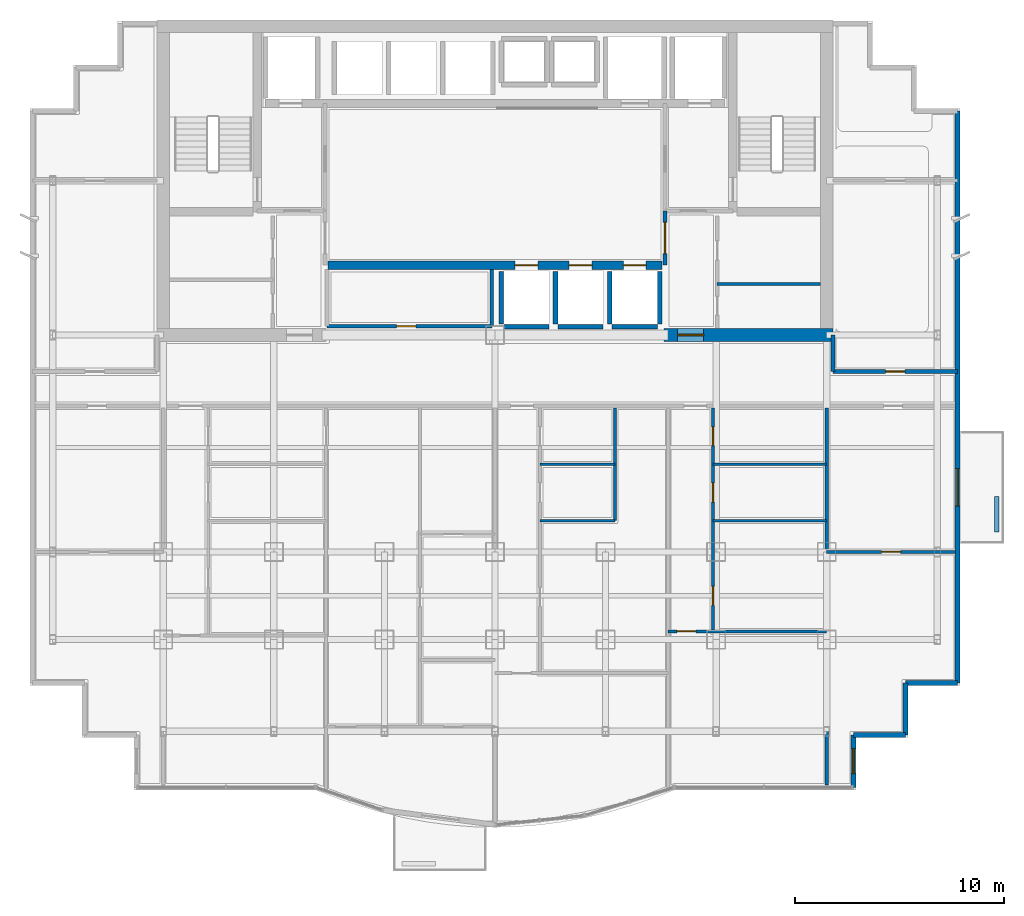
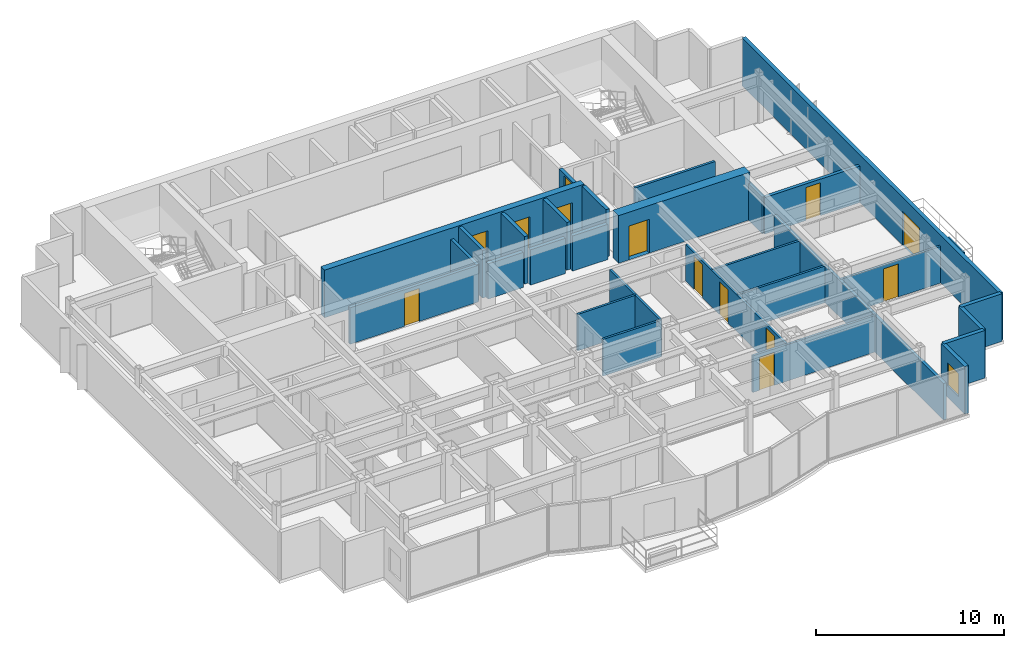
# One storey, part 7 of 11: 30 walls, 13 doors, 1 window, 14 openings.
"""IFC4 building model written with IfcOpenShell, lengths in metres."""

from ifc_helpers import new_model, si_unit, direction, frame, frame_2d, origin, place, context, subcontext, project, spatial, rectangle, extrude, material, layer, layer_set, type_object, element, fill, save


model = new_model("IFC4")

# Units and contexts
model_context = context("Model", 3, precision=1e-05, world=origin(), true_north=direction((0.0, 1.0)))
body_context = subcontext(model_context, "Body", "Model", "MODEL_VIEW")
ifc_project = project(units=[si_unit("LENGTHUNIT", "METRE"), si_unit("AREAUNIT", "SQUARE_METRE"), si_unit("VOLUMEUNIT", "CUBIC_METRE"), si_unit("PLANEANGLEUNIT", "RADIAN"), si_unit("MASSUNIT", "GRAM", prefix="KILO")], contexts=[model_context])

# Site, building, storey
site_placement = place(None, origin())
site = spatial("IfcSite", under=ifc_project, at=site_placement, CompositionType="ELEMENT")
building_placement = place(site_placement, origin())
building = spatial("IfcBuilding", under=site, at=building_placement, Name="Qianlan Lanfeng Residences", CompositionType="ELEMENT")
storey_placement = place(building_placement, frame((0.0, 0.0, 149.10009765625)))
storey = spatial("IfcBuildingStorey", under=building, at=storey_placement, Name="L40", CompositionType="ELEMENT", Elevation=149.10009765625)

# Wall, openings, doors
ifc_material_1 = material(Name="Concrete C56", Category="concrete")
ifc_layer_1 = layer(ifc_material_1, 0.39990234375)
ifc_layer_set_1 = layer_set([ifc_layer_1], Name="Concrete C56")
wall_type_1 = type_object("IfcWallType", Name="CW-RC-400", PredefinedType="SHEAR", material=ifc_layer_set_1)
wall_1_placement = place(storey_placement, frame((18.5, 28.550048828125, 0.0), z_axis=(0.0, 0.0, 1.0), x_axis=(1.0, 0.0, 0.0)))
wall_1 = element("IfcWall", 1, at=wall_1_placement, inside=storey, type_object=wall_type_1, Name="L40 Core Shear Wall LBS", PredefinedType="SHEAR", context=body_context, shape_type="SweptSolid", body=[
    extrude(rectangle(XDim=16.0, YDim=0.39990234375, at=frame_2d((8.0, 0.0))), origin(), (0.0, 0.0, 1.0), 3.099853515625),
])
opening_1_placement = place(wall_1_placement, frame((8.949951171875, 0.0, 0.0)))
opening_1 = element("IfcOpeningElement", 2, at=opening_1_placement, cuts=wall_1, Name="Opening L40-LD-PL-M1", PredefinedType="OPENING", context=body_context, shape_type="SweptSolid", body=[
    extrude(rectangle(XDim=1.10009765625, YDim=2.14990234375, at=frame_2d((0.550048828125, 1.074951171875))), frame((0.0, 0.2099609375, 0.0), z_axis=(0.0, -1.0, 0.0), x_axis=(1.0, 0.0, 0.0)), (0.0, 0.0, 1.0), 0.419921875),
])
opening_2_placement = place(wall_1_placement, frame((11.550048828125, 0.0, 0.0)))
opening_2 = element("IfcOpeningElement", 3, at=opening_2_placement, cuts=wall_1, Name="Opening L40-LD-PL-M2", PredefinedType="OPENING", context=body_context, shape_type="SweptSolid", body=[
    extrude(rectangle(XDim=1.10009765625, YDim=2.14990234375, at=frame_2d((0.550048828125, 1.074951171875))), frame((0.0, 0.2099609375, 0.0), z_axis=(0.0, -1.0, 0.0), x_axis=(1.0, 0.0, 0.0)), (0.0, 0.0, 1.0), 0.419921875),
])
opening_3_placement = place(wall_1_placement, frame((14.14990234375, 0.0, 0.0)))
opening_3 = element("IfcOpeningElement", 4, at=opening_3_placement, cuts=wall_1, Name="Opening L40-LD-PL-M3", PredefinedType="OPENING", context=body_context, shape_type="SweptSolid", body=[
    extrude(rectangle(XDim=1.10009765625, YDim=2.14990234375, at=frame_2d((0.550048828125, 1.074951171875))), frame((0.0, 0.2099609375, 0.0), z_axis=(0.0, -1.0, 0.0), x_axis=(1.0, 0.0, 0.0)), (0.0, 0.0, 1.0), 0.419921875),
])
ifc_material_2 = material(Name="Brushed Stainless Steel Sliding Lift Door", Category="steel")
door_type_1 = type_object("IfcDoorType", Name="LD-01", OperationType="NOTDEFINED", PredefinedType="DOOR", material=ifc_material_2)
door_1_placement = place(opening_1_placement, origin())
door_1 = element("IfcDoor", 5, at=door_1_placement, inside=storey, type_object=door_type_1, Name="L40 Elevator PL-M1 Sliding Landing Door", OperationType="DOUBLE_DOOR_SLIDING", OverallHeight=2.14990234375, OverallWidth=1.10009765625, PredefinedType="DOOR", context=body_context, shape_type="SweptSolid", body=[
    extrude(rectangle(XDim=1.10009765625, YDim=2.14990234375, at=frame_2d((0.550048828125, 1.074951171875))), frame((0.0, 0.02490234375, 0.0), z_axis=(0.0, -1.0, 0.0), x_axis=(1.0, 0.0, 0.0)), (0.0, 0.0, 1.0), 0.050048828125),
])
fill(opening_1, door_1)
door_2_placement = place(opening_2_placement, origin())
door_2 = element("IfcDoor", 6, at=door_2_placement, inside=storey, type_object=door_type_1, Name="L40 Elevator PL-M2 Sliding Landing Door", OperationType="DOUBLE_DOOR_SLIDING", OverallHeight=2.14990234375, OverallWidth=1.10009765625, PredefinedType="DOOR", context=body_context, shape_type="SweptSolid", body=[
    extrude(rectangle(XDim=1.10009765625, YDim=2.14990234375, at=frame_2d((0.550048828125, 1.074951171875))), frame((0.0, 0.02490234375, 0.0), z_axis=(0.0, -1.0, 0.0), x_axis=(1.0, 0.0, 0.0)), (0.0, 0.0, 1.0), 0.050048828125),
])
fill(opening_2, door_2)
door_3_placement = place(opening_3_placement, origin())
door_3 = element("IfcDoor", 7, at=door_3_placement, inside=storey, type_object=door_type_1, Name="L40 Elevator PL-M3 Sliding Landing Door", OperationType="DOUBLE_DOOR_SLIDING", OverallHeight=2.14990234375, OverallWidth=1.10009765625, PredefinedType="DOOR", context=body_context, shape_type="SweptSolid", body=[
    extrude(rectangle(XDim=1.10009765625, YDim=2.14990234375, at=frame_2d((0.550048828125, 1.074951171875))), frame((0.0, 0.02490234375, 0.0), z_axis=(0.0, -1.0, 0.0), x_axis=(1.0, 0.0, 0.0)), (0.0, 0.0, 1.0), 0.050048828125),
])
fill(opening_3, door_3)

# Wall, opening, door
ifc_layer_2 = layer(ifc_material_1, 0.60009765625)
ifc_layer_set_2 = layer_set([ifc_layer_2], Name="Concrete C56")
wall_type_2 = type_object("IfcWallType", Name="CW-RC-600", PredefinedType="SHEAR", material=ifc_layer_set_2)
wall_2_placement = place(storey_placement, frame((34.60009765625, 25.199951171875, 0.0), z_axis=(0.0, 0.0, 1.0), x_axis=(1.0, 0.0, 0.0)))
wall_2 = element("IfcWall", 8, at=wall_2_placement, inside=storey, type_object=wall_type_2, Name="L40 Core Shear Wall SE", PredefinedType="SHEAR", context=body_context, shape_type="SweptSolid", body=[
    extrude(rectangle(XDim=8.099853515625, YDim=0.60009765625, at=frame_2d((4.0498046875, 0.0))), origin(), (0.0, 0.0, 1.0), 3.099853515625),
])
opening_4_placement = place(wall_2_placement, frame((0.64990234375, 0.0, 0.0)))
opening_4 = element("IfcOpeningElement", 9, at=opening_4_placement, cuts=wall_2, Name="Opening L40-D02", PredefinedType="OPENING", context=body_context, shape_type="SweptSolid", body=[
    extrude(rectangle(XDim=1.25, YDim=2.199951171875, at=frame_2d((0.625, 1.10009765625))), frame((0.0, 0.31005859375, 0.0), z_axis=(0.0, -1.0, 0.0), x_axis=(1.0, 0.0, 0.0)), (0.0, 0.0, 1.0), 0.6201171875),
])
ifc_material_3 = material(Name="Painted Galvanised Steel Fire Door", Category="steel")
door_type_2 = type_object("IfcDoorType", Name="DT-FFL", OperationType="NOTDEFINED", PredefinedType="DOOR", material=ifc_material_3)
door_4_placement = place(opening_4_placement, frame((1.25, 0.0, 0.0), z_axis=(0.0, 0.0, 1.0), x_axis=(-1.0, 0.0, 0.0)))
door_4 = element("IfcDoor", 10, at=door_4_placement, inside=storey, type_object=door_type_2, Name="L40 East Core Lobby Smoke Door L40-D02 (DT-FFL)", OperationType="SINGLE_SWING_LEFT", OverallHeight=2.199951171875, OverallWidth=1.25, PredefinedType="DOOR", context=body_context, shape_type="SweptSolid", body=[
    extrude(rectangle(XDim=1.25, YDim=2.199951171875, at=frame_2d((0.625, 1.10009765625))), frame((0.0, 0.02490234375, 0.0), z_axis=(0.0, -1.0, 0.0), x_axis=(1.0, 0.0, 0.0)), (0.0, 0.0, 1.0), 0.050048828125),
])
fill(opening_4, door_4)

# Wall, opening, window
ifc_material_4 = material(Name="Concrete C42", Category="concrete")
ifc_layer_3 = layer(ifc_material_4, 0.239990234375)
ifc_layer_set_3 = layer_set([ifc_layer_3], Name="Concrete C42")
wall_type_3 = type_object("IfcWallType", Name="EW-240", PredefinedType="SOLIDWALL", material=ifc_layer_set_3)
wall_3_placement = place(storey_placement, frame((43.679931640625, 3.52001953125, 0.0), z_axis=(0.0, 0.0, 1.0), x_axis=(0.0, 1.0, 0.0)))
wall_3 = element("IfcWall", 11, at=wall_3_placement, inside=storey, type_object=wall_type_3, Name="L40 Exterior Facade Spandrel Wall 6", PredefinedType="SOLIDWALL", context=body_context, shape_type="SweptSolid", body=[
    extrude(rectangle(XDim=2.5, YDim=0.239990234375, at=frame_2d((1.25, 0.0))), origin(), (0.0, 0.0, 1.0), 3.099853515625),
])
opening_5_placement = place(wall_3_placement, frame((0.64990234375, 0.0, 0.75)))
opening_5 = element("IfcOpeningElement", 12, at=opening_5_placement, cuts=wall_3, Name="Opening W-03", PredefinedType="OPENING", context=body_context, shape_type="SweptSolid", body=[
    extrude(rectangle(XDim=1.199951171875, YDim=1.5, at=frame_2d((0.60009765625, 0.75))), frame((0.0, 0.1298828125, 0.0), z_axis=(0.0, -1.0, 0.0), x_axis=(1.0, 0.0, 0.0)), (0.0, 0.0, 1.0), 0.260009765625),
])
ifc_material_5 = material(Name="Anodised Bronze Aluminium Framed Double Glazing", Category="aluminium")
window_type = type_object("IfcWindowType", Name="W-03", PartitioningType="SINGLE_PANEL", PredefinedType="WINDOW", material=ifc_material_5)
window_placement = place(opening_5_placement, origin())
window = element("IfcWindow", 13, at=window_placement, inside=storey, type_object=window_type, Name="L40 Facade Punched Window W-03", OverallHeight=1.5, OverallWidth=1.199951171875, PartitioningType="SINGLE_PANEL", PredefinedType="WINDOW", context=body_context, shape_type="SweptSolid", body=[
    extrude(rectangle(XDim=1.199951171875, YDim=1.5, at=frame_2d((0.60009765625, 0.75))), frame((0.0, 0.030029296875, 0.0), z_axis=(0.0, -1.0, 0.0), x_axis=(1.0, 0.0, 0.0)), (0.0, 0.0, 1.0), 0.06005859375),
])
fill(opening_5, window)

# Walls
for number, where, z_axis, x_axis, name in (
    (14, (43.679931640625, 6.02001953125, 0.0), (0.0, 0.0, 1.0), (1.0, 0.0, 0.0), "L40 Exterior Facade Spandrel Wall 7"),
    (15, (46.179931640625, 6.02001953125, 0.0), (0.0, 0.0, 1.0), (0.0, 1.0, 0.0), "L40 Exterior Facade Spandrel Wall 8"),
    (16, (46.179931640625, 8.52001953125, 0.0), (0.0, 0.0, 1.0), (1.0, 0.0, 0.0), "L40 Exterior Facade Spandrel Wall 9"),
):
    element("IfcWall", number, at=place(storey_placement, frame(where, z_axis=z_axis, x_axis=x_axis)), inside=storey, type_object=wall_type_3, Name=name, PredefinedType="SOLIDWALL", context=body_context, shape_type="SweptSolid", body=[
        extrude(rectangle(XDim=2.5, YDim=0.239990234375, at=frame_2d((1.25, 0.0))), origin(), (0.0, 0.0, 1.0), 3.099853515625),
    ])

# Wall, opening, door
wall_4_placement = place(storey_placement, frame((48.679931640625, 8.52001953125, 0.0), z_axis=(0.0, 0.0, 1.0), x_axis=(0.0, 1.0, 0.0)))
wall_4 = element("IfcWall", 17, at=wall_4_placement, inside=storey, type_object=wall_type_3, Name="L40 Terrace/Balcony Access Exterior Wall 10", PredefinedType="SOLIDWALL", context=body_context, shape_type="SweptSolid", body=[
    extrude(rectangle(XDim=27.409912109375, YDim=0.239990234375, at=frame_2d((13.705078125, 0.0))), origin(), (0.0, 0.0, 1.0), 3.099853515625),
])
opening_6_placement = place(wall_4_placement, frame((8.47998046875, 0.0, 0.0)))
opening_6 = element("IfcOpeningElement", 18, at=opening_6_placement, cuts=wall_4, Name="Opening L40-D-EB-S", PredefinedType="OPENING", context=body_context, shape_type="SweptSolid", body=[
    extrude(rectangle(XDim=1.800048828125, YDim=2.199951171875, at=frame_2d((0.89990234375, 1.10009765625))), frame((0.0, 0.1298828125, 0.0), z_axis=(0.0, -1.0, 0.0), x_axis=(1.0, 0.0, 0.0)), (0.0, 0.0, 1.0), 0.260009765625),
])
ifc_material_6 = material(Name="Anodised Bronze Aluminium Framed Glass", Category="aluminium")
door_type_3 = type_object("IfcDoorType", Name="DT-BAL1", OperationType="NOTDEFINED", PredefinedType="DOOR", material=ifc_material_6)
door_5_placement = place(opening_6_placement, frame((1.800048828125, 0.0, 0.0), z_axis=(0.0, 0.0, 1.0), x_axis=(-1.0, 0.0, 0.0)))
door_5 = element("IfcDoor", 19, at=door_5_placement, inside=storey, type_object=door_type_3, Name="L40 Exterior Access Door EB-S", OperationType="DOUBLE_DOOR_SLIDING", OverallHeight=2.199951171875, OverallWidth=1.800048828125, PredefinedType="DOOR", context=body_context, shape_type="SweptSolid", body=[
    extrude(rectangle(XDim=1.800048828125, YDim=2.199951171875, at=frame_2d((0.89990234375, 1.10009765625))), frame((0.0, 0.02490234375, 0.0), z_axis=(0.0, -1.0, 0.0), x_axis=(1.0, 0.0, 0.0)), (0.0, 0.0, 1.0), 0.050048828125),
])
fill(opening_6, door_5)

# Walls
ifc_layer_4 = layer(ifc_material_4, 0.199951171875)
ifc_layer_set_4 = layer_set([ifc_layer_4], Name="Concrete C42")
wall_type_4 = type_object("IfcWallType", Name="PL-TREE-200", PredefinedType="PARAPET", material=ifc_layer_set_4)
wall_5_placement = place(storey_placement, frame((50.550048828125, 15.75, 0.0), z_axis=(0.0, 0.0, 1.0), x_axis=(0.0, 1.0, 0.0)))
element("IfcWall", 20, at=wall_5_placement, inside=storey, type_object=wall_type_4, Name="L40 East Tree Planter Curb EB-S", PredefinedType="PARAPET", context=body_context, shape_type="SweptSolid", body=[
    extrude(rectangle(XDim=1.699951171875, YDim=0.199951171875, at=frame_2d((0.85009765625, 0.0))), origin(), (0.0, 0.0, 1.0), 0.64990234375),
])
ifc_material_7 = material(Name="Moisture-Resistant Gypsum Partition 135 mm")
ifc_layer_5 = layer(ifc_material_7, 0.135009765625)
ifc_layer_set_5 = layer_set([ifc_layer_5], Name="Moisture-Resistant Gypsum Partition 135 mm")
wall_type_5 = type_object("IfcWallType", Name="PW-135", PredefinedType="PARTITIONING", material=ifc_layer_set_5)
wall_6_placement = place(storey_placement, frame((28.64990234375, 16.300048828125, 0.0), z_axis=(0.0, 0.0, 1.0), x_axis=(1.0, 0.0, 0.0)))
element("IfcWall", 21, at=wall_6_placement, inside=storey, type_object=wall_type_5, Name="L40 U02 Kitchen South Wall", PredefinedType="PARTITIONING", context=body_context, shape_type="SweptSolid", body=[
    extrude(rectangle(XDim=3.60009765625, YDim=0.135009765625, at=frame_2d((1.800048828125, 0.0))), origin(), (0.0, 0.0, 1.0), 2.3798828125),
])
wall_7_placement = place(storey_placement, frame((32.25, 16.300048828125, 0.0), z_axis=(0.0, 0.0, 1.0), x_axis=(0.0, 1.0, 0.0)))
element("IfcWall", 22, at=wall_7_placement, inside=storey, type_object=wall_type_5, Name="L40 U02 Dining East Wall", PredefinedType="PARTITIONING", context=body_context, shape_type="SweptSolid", body=[
    extrude(rectangle(XDim=5.39990234375, YDim=0.135009765625, at=frame_2d((2.699951171875, 0.0))), origin(), (0.0, 0.0, 1.0), 2.3798828125),
])
wall_8_placement = place(storey_placement, frame((28.64990234375, 19.0, 0.0), z_axis=(0.0, 0.0, 1.0), x_axis=(1.0, 0.0, 0.0)))
element("IfcWall", 23, at=wall_8_placement, inside=storey, type_object=wall_type_5, Name="L40 U02 Bathroom South Wall", PredefinedType="PARTITIONING", context=body_context, shape_type="SweptSolid", body=[
    extrude(rectangle(XDim=3.60009765625, YDim=0.135009765625, at=frame_2d((1.800048828125, 0.0))), origin(), (0.0, 0.0, 1.0), 2.3798828125),
])

# Wall, opening, door
wall_9_placement = place(storey_placement, frame((34.800048828125, 10.988037109375, 0.0), z_axis=(0.0, 0.0, 1.0), x_axis=(1.0, 0.0, 0.0)))
wall_9 = element("IfcWall", 24, at=wall_9_placement, inside=storey, type_object=wall_type_5, Name="L40 U03 Living Divider", PredefinedType="PARTITIONING", context=body_context, shape_type="SweptSolid", body=[
    extrude(rectangle(XDim=7.599853515625, YDim=0.135009765625, at=frame_2d((3.7998046875, 0.0))), origin(), (0.0, 0.0, 1.0), 2.3798828125),
])
opening_7_placement = place(wall_9_placement, frame((0.4150390625, 0.0, 0.0)))
opening_7 = element("IfcOpeningElement", 25, at=opening_7_placement, cuts=wall_9, Name="Opening L40-D32", PredefinedType="OPENING", context=body_context, shape_type="SweptSolid", body=[
    extrude(rectangle(XDim=0.919921875, YDim=2.14990234375, at=frame_2d((0.4599609375, 1.074951171875))), frame((0.0, 0.07763671875, 0.0), z_axis=(0.0, -1.0, 0.0), x_axis=(1.0, 0.0, 0.0)), (0.0, 0.0, 1.0), 0.155029296875),
])
ifc_material_8 = material(Name="Glazed Timber Kitchen/Study Door", Category="wood")
door_type_4 = type_object("IfcDoorType", Name="DT-INT", OperationType="NOTDEFINED", PredefinedType="DOOR", material=ifc_material_8)
door_6_placement = place(opening_7_placement, origin())
door_6 = element("IfcDoor", 26, at=door_6_placement, inside=storey, type_object=door_type_4, Name="L40 U03 Living Passage Door L40-D32 (DT-INT)", OperationType="SINGLE_SWING_RIGHT", OverallHeight=2.14990234375, OverallWidth=0.919921875, PredefinedType="DOOR", context=body_context, shape_type="SweptSolid", body=[
    extrude(rectangle(XDim=0.919921875, YDim=2.14990234375, at=frame_2d((0.4599609375, 1.074951171875))), frame((0.0, 0.02490234375, 0.0), z_axis=(0.0, -1.0, 0.0), x_axis=(1.0, 0.0, 0.0)), (0.0, 0.0, 1.0), 0.050048828125),
])
fill(opening_7, door_6)

# Wall, openings, doors
wall_10_placement = place(storey_placement, frame((36.949951171875, 10.988037109375, 0.0), z_axis=(0.0, 0.0, 1.0), x_axis=(0.0, 1.0, 0.0)))
wall_10 = element("IfcWall", 27, at=wall_10_placement, inside=storey, type_object=wall_type_5, Name="L40 U03 Entry Hall Spine", PredefinedType="PARTITIONING", context=body_context, shape_type="SweptSolid", body=[
    extrude(rectangle(XDim=10.7119140625, YDim=0.135009765625, at=frame_2d((5.35595703125, 0.0))), origin(), (0.0, 0.0, 1.0), 2.3798828125),
])
opening_8_placement = place(wall_10_placement, frame((1.24609375, 0.0, 0.0)))
opening_8 = element("IfcOpeningElement", 28, at=opening_8_placement, cuts=wall_10, Name="Opening L40-D33", PredefinedType="OPENING", context=body_context, shape_type="SweptSolid", body=[
    extrude(rectangle(XDim=0.919921875, YDim=2.14990234375, at=frame_2d((0.4599609375, 1.074951171875))), frame((0.0, 0.07763671875, 0.0), z_axis=(0.0, -1.0, 0.0), x_axis=(1.0, 0.0, 0.0)), (0.0, 0.0, 1.0), 0.155029296875),
])
opening_9_placement = place(wall_10_placement, frame((6.201904296875, 0.0, 0.0)))
opening_9 = element("IfcOpeningElement", 29, at=opening_9_placement, cuts=wall_10, Name="Opening L40-D34", PredefinedType="OPENING", context=body_context, shape_type="SweptSolid", body=[
    extrude(rectangle(XDim=0.919921875, YDim=2.14990234375, at=frame_2d((0.4599609375, 1.074951171875))), frame((0.0, 0.07763671875, 0.0), z_axis=(0.0, -1.0, 0.0), x_axis=(1.0, 0.0, 0.0)), (0.0, 0.0, 1.0), 0.155029296875),
])
opening_10_placement = place(wall_10_placement, frame((8.912109375, 0.0, 0.0)))
opening_10 = element("IfcOpeningElement", 30, at=opening_10_placement, cuts=wall_10, Name="Opening L40-D35", PredefinedType="OPENING", context=body_context, shape_type="SweptSolid", body=[
    extrude(rectangle(XDim=0.89990234375, YDim=2.14990234375, at=frame_2d((0.449951171875, 1.074951171875))), frame((0.0, 0.07763671875, 0.0), z_axis=(0.0, -1.0, 0.0), x_axis=(1.0, 0.0, 0.0)), (0.0, 0.0, 1.0), 0.155029296875),
])
door_7_placement = place(opening_8_placement, origin())
door_7 = element("IfcDoor", 31, at=door_7_placement, inside=storey, type_object=door_type_4, Name="L40 U03 Study Door L40-D33 (DT-INT)", OperationType="SINGLE_SWING_LEFT", OverallHeight=2.14990234375, OverallWidth=0.919921875, PredefinedType="DOOR", context=body_context, shape_type="SweptSolid", body=[
    extrude(rectangle(XDim=0.919921875, YDim=2.14990234375, at=frame_2d((0.4599609375, 1.074951171875))), frame((0.0, 0.02490234375, 0.0), z_axis=(0.0, -1.0, 0.0), x_axis=(1.0, 0.0, 0.0)), (0.0, 0.0, 1.0), 0.050048828125),
])
fill(opening_8, door_7)
door_8_placement = place(opening_9_placement, origin())
door_8 = element("IfcDoor", 32, at=door_8_placement, inside=storey, type_object=door_type_4, Name="L40 U03 Kitchen Door L40-D34 (DT-INT)", OperationType="SINGLE_SWING_RIGHT", OverallHeight=2.14990234375, OverallWidth=0.919921875, PredefinedType="DOOR", context=body_context, shape_type="SweptSolid", body=[
    extrude(rectangle(XDim=0.919921875, YDim=2.14990234375, at=frame_2d((0.4599609375, 1.074951171875))), frame((0.0, 0.02490234375, 0.0), z_axis=(0.0, -1.0, 0.0), x_axis=(1.0, 0.0, 0.0)), (0.0, 0.0, 1.0), 0.050048828125),
])
fill(opening_9, door_8)
ifc_material_9 = material(Name="Moisture-Resistant Timber Leaf", Category="wood")
door_type_5 = type_object("IfcDoorType", Name="DT-WC", OperationType="NOTDEFINED", PredefinedType="DOOR", material=ifc_material_9)
door_9_placement = place(opening_10_placement, origin())
door_9 = element("IfcDoor", 33, at=door_9_placement, inside=storey, type_object=door_type_5, Name="L40 U03 Bathroom Door L40-D35 (DT-WC)", OperationType="SINGLE_SWING_LEFT", OverallHeight=2.14990234375, OverallWidth=0.89990234375, PredefinedType="DOOR", context=body_context, shape_type="SweptSolid", body=[
    extrude(rectangle(XDim=0.89990234375, YDim=2.14990234375, at=frame_2d((0.449951171875, 1.074951171875))), frame((0.0, 0.02490234375, 0.0), z_axis=(0.0, -1.0, 0.0), x_axis=(1.0, 0.0, 0.0)), (0.0, 0.0, 1.0), 0.050048828125),
])
fill(opening_10, door_9)

# Walls
for number, where, z_axis, x_axis, name in (
    (34, (36.949951171875, 16.300048828125, 0.0), (0.0, 0.0, 1.0), (1.0, 0.0, 0.0), "L40 U03 Kitchen South Wall"),
    (35, (36.949951171875, 19.0, 0.0), (0.0, 0.0, 1.0), (1.0, 0.0, 0.0), "L40 U03 Bathroom South Wall"),
):
    element("IfcWall", number, at=place(storey_placement, frame(where, z_axis=z_axis, x_axis=x_axis)), inside=storey, type_object=wall_type_5, Name=name, PredefinedType="PARTITIONING", context=body_context, shape_type="SweptSolid", body=[
        extrude(rectangle(XDim=5.449951171875, YDim=0.135009765625, at=frame_2d((2.72509765625, 0.0))), origin(), (0.0, 0.0, 1.0), 2.3798828125),
    ])

# Wall, opening, door
wall_11_placement = place(storey_placement, frame((42.39990234375, 14.800048828125, 0.0), z_axis=(0.0, 0.0, 1.0), x_axis=(1.0, 0.0, 0.0)))
wall_11 = element("IfcWall", 36, at=wall_11_placement, inside=storey, type_object=wall_type_5, Name="L40 SEP Mid Partition", PredefinedType="PARTITIONING", context=body_context, shape_type="SweptSolid", body=[
    extrude(rectangle(XDim=6.18017578125, YDim=0.135009765625, at=frame_2d((3.090087890625, 0.0))), origin(), (0.0, 0.0, 1.0), 2.3798828125),
])
opening_11_placement = place(wall_11_placement, frame((2.6298828125, 0.0, 0.0)))
opening_11 = element("IfcOpeningElement", 37, at=opening_11_placement, cuts=wall_11, Name="Opening L40-D38", PredefinedType="OPENING", context=body_context, shape_type="SweptSolid", body=[
    extrude(rectangle(XDim=0.919921875, YDim=2.14990234375, at=frame_2d((0.4599609375, 1.074951171875))), frame((0.0, 0.07763671875, 0.0), z_axis=(0.0, -1.0, 0.0), x_axis=(1.0, 0.0, 0.0)), (0.0, 0.0, 1.0), 0.155029296875),
])
door_10_placement = place(opening_11_placement, origin())
door_10 = element("IfcDoor", 38, at=door_10_placement, inside=storey, type_object=door_type_4, Name="L40 SEP Inner Door L40-D38 (DT-INT)", OperationType="SINGLE_SWING_RIGHT", OverallHeight=2.14990234375, OverallWidth=0.919921875, PredefinedType="DOOR", context=body_context, shape_type="SweptSolid", body=[
    extrude(rectangle(XDim=0.919921875, YDim=2.14990234375, at=frame_2d((0.4599609375, 1.074951171875))), frame((0.0, 0.02490234375, 0.0), z_axis=(0.0, -1.0, 0.0), x_axis=(1.0, 0.0, 0.0)), (0.0, 0.0, 1.0), 0.050048828125),
])
fill(opening_11, door_10)

# Walls
ifc_material_10 = material(Name="Acoustic Drywall Partition 150 mm")
ifc_layer_6 = layer(ifc_material_10, 0.14990234375)
ifc_layer_set_6 = layer_set([ifc_layer_6], Name="Acoustic Drywall Partition 150 mm")
wall_type_6 = type_object("IfcWallType", Name="PW-150", PredefinedType="PARTITIONING", material=ifc_layer_set_6)
wall_12_placement = place(storey_placement, frame((37.14990234375, 27.64990234375, 0.0), z_axis=(0.0, 0.0, 1.0), x_axis=(1.0, 0.0, 0.0)))
element("IfcWall", 39, at=wall_12_placement, inside=storey, type_object=wall_type_6, Name="L40 Core East Split", PredefinedType="PARTITIONING", context=body_context, shape_type="SweptSolid", body=[
    extrude(rectangle(XDim=4.9501953125, YDim=0.14990234375, at=frame_2d((2.47509765625, 0.0))), origin(), (0.0, 0.0, 1.0), 2.3798828125),
])
ifc_material_11 = material(Name="Double-Layer Acoustic Gypsum Stud Wall 180 mm")
ifc_layer_7 = layer(ifc_material_11, 0.179931640625)
ifc_layer_set_7 = layer_set([ifc_layer_7], Name="Double-Layer Acoustic Gypsum Stud Wall 180 mm")
wall_type_7 = type_object("IfcWallType", Name="PW-180", PredefinedType="PARTITIONING", material=ifc_layer_set_7)
wall_13_placement = place(storey_placement, frame((26.35009765625, 25.6201171875, 0.0), z_axis=(0.0, 0.0, 1.0), x_axis=(0.0, 1.0, 0.0)))
element("IfcWall", 40, at=wall_13_placement, inside=storey, type_object=wall_type_7, Name="L40 Reclaimed Low-Bank Room East Wall", PredefinedType="PARTITIONING", context=body_context, shape_type="SweptSolid", body=[
    extrude(rectangle(XDim=2.72998046875, YDim=0.179931640625, at=frame_2d((1.364990234375, 0.0))), origin(), (0.0, 0.0, 1.0), 2.3798828125),
])

# Wall, opening, door
wall_14_placement = place(storey_placement, frame((18.449951171875, 25.6201171875, 0.0), z_axis=(0.0, 0.0, 1.0), x_axis=(1.0, 0.0, 0.0)))
wall_14 = element("IfcWall", 41, at=wall_14_placement, inside=storey, type_object=wall_type_7, Name="L40 Reclaimed Low-Bank Room South Wall", PredefinedType="PARTITIONING", context=body_context, shape_type="SweptSolid", body=[
    extrude(rectangle(XDim=7.900146484375, YDim=0.179931640625, at=frame_2d((3.9501953125, 0.0))), origin(), (0.0, 0.0, 1.0), 2.3798828125),
])
opening_12_placement = place(wall_14_placement, frame((3.340087890625, 0.0, 0.0)))
opening_12 = element("IfcOpeningElement", 42, at=opening_12_placement, cuts=wall_14, Name="Opening L40-D15", PredefinedType="OPENING", context=body_context, shape_type="SweptSolid", body=[
    extrude(rectangle(XDim=0.919921875, YDim=2.14990234375, at=frame_2d((0.4599609375, 1.074951171875))), frame((0.0, 0.10009765625, 0.0), z_axis=(0.0, -1.0, 0.0), x_axis=(1.0, 0.0, 0.0)), (0.0, 0.0, 1.0), 0.199951171875),
])
door_11_placement = place(opening_12_placement, origin())
door_11 = element("IfcDoor", 43, at=door_11_placement, inside=storey, type_object=door_type_4, Name="L40 Reclaimed Core Salon Door L40-D15 (DT-INT)", OperationType="SINGLE_SWING_LEFT", OverallHeight=2.14990234375, OverallWidth=0.919921875, PredefinedType="DOOR", context=body_context, shape_type="SweptSolid", body=[
    extrude(rectangle(XDim=0.919921875, YDim=2.14990234375, at=frame_2d((0.4599609375, 1.074951171875))), frame((0.0, 0.02490234375, 0.0), z_axis=(0.0, -1.0, 0.0), x_axis=(1.0, 0.0, 0.0)), (0.0, 0.0, 1.0), 0.050048828125),
])
fill(opening_12, door_11)

# Wall
wall_15_placement = place(storey_placement, frame((42.39990234375, 3.6201171875, 0.0), z_axis=(0.0, 0.0, 1.0), x_axis=(0.0, 1.0, 0.0)))
element("IfcWall", 44, at=wall_15_placement, inside=storey, type_object=wall_type_7, Name="L40 Wing Boundary Party Wall E0", PredefinedType="PARTITIONING", context=body_context, shape_type="SweptSolid", body=[
    extrude(rectangle(XDim=18.079833984375, YDim=0.179931640625, at=frame_2d((9.0400390625, 0.0))), origin(), (0.0, 0.0, 1.0), 2.3798828125),
])

# Wall, opening, door
ifc_material_12 = material(Name="Autoclaved Aerated Concrete Blockwork 200 mm", Category="masonry")
ifc_layer_8 = layer(ifc_material_12, 0.199951171875)
ifc_layer_set_8 = layer_set([ifc_layer_8], Name="Autoclaved Aerated Concrete Blockwork 200 mm")
wall_type_8 = type_object("IfcWallType", Name="PW-200", PredefinedType="PARTITIONING", material=ifc_layer_set_8)
wall_16_placement = place(storey_placement, frame((34.64990234375, 28.550048828125, 0.0), z_axis=(0.0, 0.0, 1.0), x_axis=(0.0, 1.0, 0.0)))
wall_16 = element("IfcWall", 45, at=wall_16_placement, inside=storey, type_object=wall_type_8, Name="L40 Lift Lobby East Connector Wall", PredefinedType="PARTITIONING", context=body_context, shape_type="SweptSolid", body=[
    extrude(rectangle(XDim=2.599853515625, YDim=0.199951171875, at=frame_2d((1.2998046875, 0.0))), origin(), (0.0, 0.0, 1.0), 2.3798828125),
])
opening_13_placement = place(wall_16_placement, frame((0.550048828125, 0.0, 0.0)))
opening_13 = element("IfcOpeningElement", 46, at=opening_13_placement, cuts=wall_16, Name="Opening L40-D14", PredefinedType="OPENING", context=body_context, shape_type="SweptSolid", body=[
    extrude(rectangle(XDim=1.5, YDim=2.25, at=frame_2d((0.75, 1.125))), frame((0.0, 0.10986328125, 0.0), z_axis=(0.0, -1.0, 0.0), x_axis=(1.0, 0.0, 0.0)), (0.0, 0.0, 1.0), 0.219970703125),
])
ifc_material_13 = material(Name="Timber Veneer Acoustic Fire Door", Category="wood")
door_type_6 = type_object("IfcDoorType", Name="DT-COR1", OperationType="NOTDEFINED", PredefinedType="DOOR", material=ifc_material_13)
door_12_placement = place(opening_13_placement, frame((1.5, 0.0, 0.0), z_axis=(0.0, 0.0, 1.0), x_axis=(-1.0, 0.0, 0.0)))
door_12 = element("IfcDoor", 47, at=door_12_placement, inside=storey, type_object=door_type_6, Name="L40 Lift Lobby East Portal Door L40-D14 (DT-COR1)", OperationType="DOUBLE_DOOR_SINGLE_SWING", OverallHeight=2.25, OverallWidth=1.5, PredefinedType="DOOR", context=body_context, shape_type="SweptSolid", body=[
    extrude(rectangle(XDim=1.5, YDim=2.25, at=frame_2d((0.75, 1.125))), frame((0.0, 0.02490234375, 0.0), z_axis=(0.0, -1.0, 0.0), x_axis=(1.0, 0.0, 0.0)), (0.0, 0.0, 1.0), 0.050048828125),
])
fill(opening_13, door_12)

wall_17_placement = place(storey_placement, frame((42.699951171875, 23.449951171875, 0.0), z_axis=(0.0, 0.0, 1.0), x_axis=(1.0, 0.0, 0.0)))
wall_17 = element("IfcWall", 48, at=wall_17_placement, inside=storey, type_object=wall_type_8, Name="L40 Corridor NE Wall", PredefinedType="PARTITIONING", context=body_context, shape_type="SweptSolid", body=[
    extrude(rectangle(XDim=5.97998046875, YDim=0.199951171875, at=frame_2d((2.989990234375, 0.0))), origin(), (0.0, 0.0, 1.0), 2.3798828125),
])
opening_14_placement = place(wall_17_placement, frame((2.530029296875, 0.0, 0.0)))
opening_14 = element("IfcOpeningElement", 49, at=opening_14_placement, cuts=wall_17, Name="Opening L40-D43", PredefinedType="OPENING", context=body_context, shape_type="SweptSolid", body=[
    extrude(rectangle(XDim=0.919921875, YDim=2.14990234375, at=frame_2d((0.4599609375, 1.074951171875))), frame((0.0, 0.10986328125, 0.0), z_axis=(0.0, -1.0, 0.0), x_axis=(1.0, 0.0, 0.0)), (0.0, 0.0, 1.0), 0.219970703125),
])
door_13_placement = place(opening_14_placement, origin())
door_13 = element("IfcDoor", 50, at=door_13_placement, inside=storey, type_object=door_type_4, Name="L40 EW Amenity Salon Door L40-D43 (DT-INT)", OperationType="SINGLE_SWING_LEFT", OverallHeight=2.14990234375, OverallWidth=0.919921875, PredefinedType="DOOR", context=body_context, shape_type="SweptSolid", body=[
    extrude(rectangle(XDim=0.919921875, YDim=2.14990234375, at=frame_2d((0.4599609375, 1.074951171875))), frame((0.0, 0.02490234375, 0.0), z_axis=(0.0, -1.0, 0.0), x_axis=(1.0, 0.0, 0.0)), (0.0, 0.0, 1.0), 0.050048828125),
])
fill(opening_14, door_13)

# Walls
wall_18_placement = place(storey_placement, frame((42.699951171875, 23.449951171875, 0.0), z_axis=(0.0, 0.0, 1.0), x_axis=(0.0, 1.0, 0.0)))
element("IfcWall", 51, at=wall_18_placement, inside=storey, type_object=wall_type_8, Name="L40 NE Wing Core Return Wall", PredefinedType="PARTITIONING", context=body_context, shape_type="SweptSolid", body=[
    extrude(rectangle(XDim=1.75, YDim=0.199951171875, at=frame_2d((0.875, 0.0))), origin(), (0.0, 0.0, 1.0), 2.3798828125),
])
ifc_material_14 = material(Name="Concrete C49", Category="concrete")
ifc_layer_9 = layer(ifc_material_14, 0.219970703125)
ifc_layer_set_9 = layer_set([ifc_layer_9], Name="Concrete C49")
wall_type_9 = type_object("IfcWallType", Name="SHW-220", PredefinedType="SOLIDWALL", material=ifc_layer_set_9)
wall_19_placement = place(storey_placement, frame((26.800048828125, 25.719970703125, 0.0), z_axis=(0.0, 0.0, 1.0), x_axis=(0.0, 1.0, 0.0)))
element("IfcWall", 52, at=wall_19_placement, inside=storey, type_object=wall_type_9, Name="L40 Lift PL-M1 Shaft Wall W", PredefinedType="SOLIDWALL", context=body_context, shape_type="SweptSolid", body=[
    extrude(rectangle(XDim=2.530029296875, YDim=0.219970703125, at=frame_2d((1.26513671875, 0.0))), origin(), (0.0, 0.0, 1.0), 3.099853515625),
])
wall_20_placement = place(storey_placement, frame((26.919921875, 25.60009765625, 0.0), z_axis=(0.0, 0.0, 1.0), x_axis=(1.0, 0.0, 0.0)))
element("IfcWall", 53, at=wall_20_placement, inside=storey, type_object=wall_type_9, Name="L40 Lift PL-M1 Shaft Back Wall S", PredefinedType="SOLIDWALL", context=body_context, shape_type="SweptSolid", body=[
    extrude(rectangle(XDim=2.16015625, YDim=0.219970703125, at=frame_2d((1.080078125, 0.0))), origin(), (0.0, 0.0, 1.0), 2.294921875),
])
wall_21_placement = place(storey_placement, frame((29.39990234375, 25.719970703125, 0.0), z_axis=(0.0, 0.0, 1.0), x_axis=(0.0, 1.0, 0.0)))
element("IfcWall", 54, at=wall_21_placement, inside=storey, type_object=wall_type_9, Name="L40 Lift PL-M2 Shaft Wall W", PredefinedType="SOLIDWALL", context=body_context, shape_type="SweptSolid", body=[
    extrude(rectangle(XDim=2.530029296875, YDim=0.219970703125, at=frame_2d((1.26513671875, 0.0))), origin(), (0.0, 0.0, 1.0), 3.099853515625),
])
wall_22_placement = place(storey_placement, frame((29.52001953125, 25.60009765625, 0.0), z_axis=(0.0, 0.0, 1.0), x_axis=(1.0, 0.0, 0.0)))
element("IfcWall", 55, at=wall_22_placement, inside=storey, type_object=wall_type_9, Name="L40 Lift PL-M2 Shaft Back Wall S", PredefinedType="SOLIDWALL", context=body_context, shape_type="SweptSolid", body=[
    extrude(rectangle(XDim=2.159912109375, YDim=0.219970703125, at=frame_2d((1.080078125, 0.0))), origin(), (0.0, 0.0, 1.0), 2.294921875),
])
for number, where, z_axis, x_axis, name in (
    (56, (32.0, 25.719970703125, 0.0), (0.0, 0.0, 1.0), (0.0, 1.0, 0.0), "L40 Lift PL-M3 Shaft Wall W"),
    (57, (34.39990234375, 25.719970703125, 0.0), (0.0, 0.0, 1.0), (0.0, 1.0, 0.0), "L40 Lift PL-M3 Shaft Wall E"),
):
    element("IfcWall", number, at=place(storey_placement, frame(where, z_axis=z_axis, x_axis=x_axis)), inside=storey, type_object=wall_type_9, Name=name, PredefinedType="SOLIDWALL", context=body_context, shape_type="SweptSolid", body=[
        extrude(rectangle(XDim=2.530029296875, YDim=0.219970703125, at=frame_2d((1.26513671875, 0.0))), origin(), (0.0, 0.0, 1.0), 3.099853515625),
    ])
wall_23_placement = place(storey_placement, frame((32.1201171875, 25.60009765625, 0.0), z_axis=(0.0, 0.0, 1.0), x_axis=(1.0, 0.0, 0.0)))
element("IfcWall", 58, at=wall_23_placement, inside=storey, type_object=wall_type_9, Name="L40 Lift PL-M3 Shaft Back Wall S", PredefinedType="SOLIDWALL", context=body_context, shape_type="SweptSolid", body=[
    extrude(rectangle(XDim=2.159912109375, YDim=0.219970703125, at=frame_2d((1.080078125, 0.0))), origin(), (0.0, 0.0, 1.0), 2.294921875),
])

save(model, "model.ifc")
